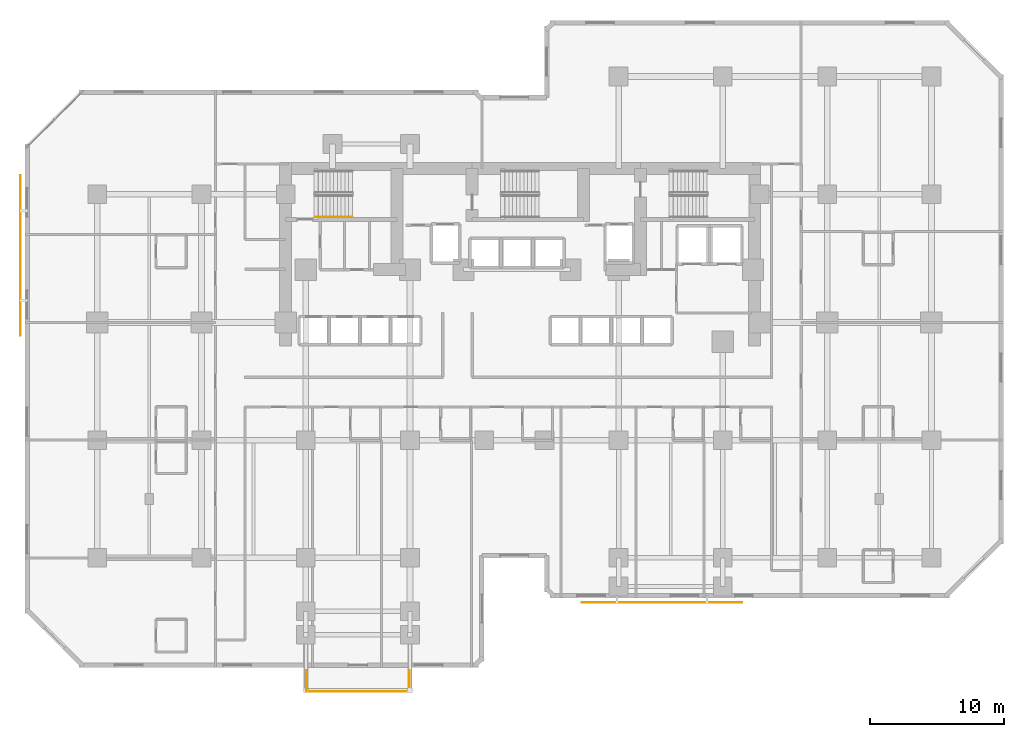
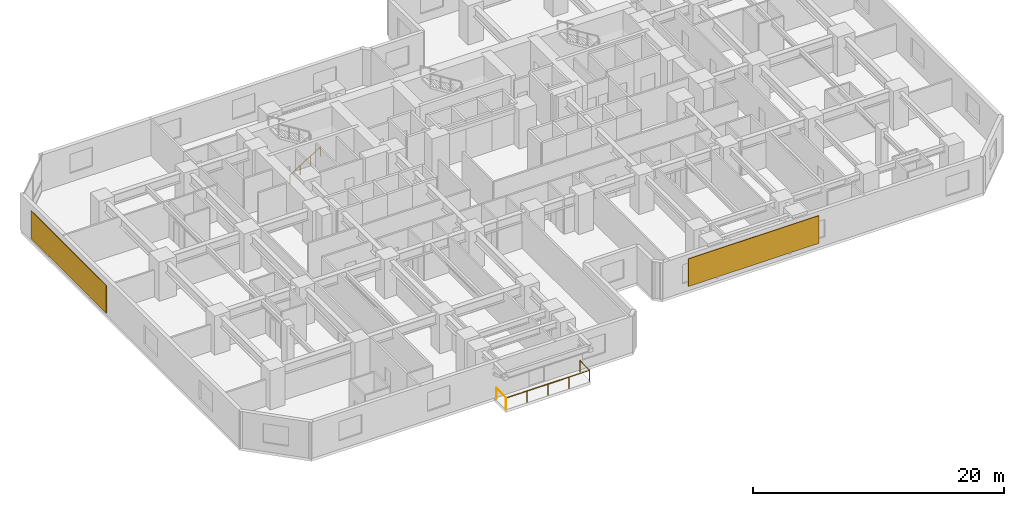
# One storey, part 11 of 12: 3 railings, 2 shading devices.
"""IFC4 building model written with IfcOpenShell, lengths in metres."""

from ifc_helpers import new_model, si_unit, direction, frame, origin, origin_2d, place, context, subcontext, project, spatial, rectangle, circle, extrude, material, layer, layer_set, type_object, element, save


model = new_model("IFC4")

# Units and contexts
model_context = context("Model", 3, precision=1e-05, world=origin(), true_north=direction((0.0, 1.0)))
body_context = subcontext(model_context, "Body", "Model", "MODEL_VIEW")
ifc_project = project(units=[si_unit("LENGTHUNIT", "METRE"), si_unit("AREAUNIT", "SQUARE_METRE"), si_unit("VOLUMEUNIT", "CUBIC_METRE"), si_unit("PLANEANGLEUNIT", "RADIAN"), si_unit("MASSUNIT", "GRAM", prefix="KILO")], contexts=[model_context])

# Site, building, storey
site_placement = place(None, origin())
site = spatial("IfcSite", under=ifc_project, at=site_placement, CompositionType="ELEMENT")
building_placement = place(site_placement, origin())
building = spatial("IfcBuilding", under=site, at=building_placement, Name="Kestravale Grand Hotel", CompositionType="ELEMENT")
storey_placement = place(building_placement, frame((0.0, 0.0, 41.199951171875)))
storey = spatial("IfcBuildingStorey", under=building, at=storey_placement, Name="L09", CompositionType="ELEMENT", Elevation=41.199951171875)

# Railings
ifc_material_1 = material(Name="Champagne-bronze stainless steel and laminated glass guard", Category="steel")
railing_type_1 = type_object("IfcRailingType", Name="RL-EXT-1100", PredefinedType="GUARDRAIL", material=ifc_material_1)
railing_1_placement = place(storey_placement, frame((23.4599609375, 1.2099609375, 0.0)))
element("IfcRailing", 1, at=railing_1_placement, inside=storey, type_object=railing_type_1, Name="L09 outdoor terrace guard 1", PredefinedType="GUARDRAIL", context=body_context, shape_type="SweptSolid", body=[
    extrude(circle(Radius=0.02392578125, at=origin_2d()), frame((0.0, 0.0, 1.09619140625), z_axis=(0.0, 1.0, 0.0), x_axis=(-1.0, 0.0, 0.0)), (0.0, 0.0, 1.0), 1.570068359375),
    extrude(circle(Radius=0.02099609375, at=origin_2d()), origin(), (0.0, 0.0, 1.0), 1.072021484375),
    extrude(circle(Radius=0.02099609375, at=origin_2d()), frame((0.0, 1.570068359375, 0.0)), (0.0, 0.0, 1.0), 1.072021484375),
])
railing_2_placement = place(storey_placement, frame((31.139892578125, 2.780029296875, 0.0)))
element("IfcRailing", 2, at=railing_2_placement, inside=storey, type_object=railing_type_1, Name="L09 outdoor terrace guard 2", PredefinedType="GUARDRAIL", context=body_context, shape_type="SweptSolid", body=[
    extrude(circle(Radius=0.02392578125, at=origin_2d()), frame((0.0, 0.0, 1.09619140625), z_axis=(0.0, -1.0, 0.0), x_axis=(1.0, 0.0, 0.0)), (0.0, 0.0, 1.0), 1.570068359375),
    extrude(circle(Radius=0.02392578125, at=origin_2d()), frame((0.0, -1.570068359375, 1.09619140625), z_axis=(-1.0, 0.0, 0.0), x_axis=(0.0, -1.0, 0.0)), (0.0, 0.0, 1.0), 7.679931640625),
    extrude(circle(Radius=0.02099609375, at=origin_2d()), origin(), (0.0, 0.0, 1.0), 1.072021484375),
    extrude(circle(Radius=0.02099609375, at=origin_2d()), frame((0.0, -1.570068359375, 0.0)), (0.0, 0.0, 1.0), 1.072021484375),
    extrude(circle(Radius=0.02099609375, at=origin_2d()), frame((-1.919921875, -1.570068359375, 0.0)), (0.0, 0.0, 1.0), 1.072021484375),
    extrude(circle(Radius=0.02099609375, at=origin_2d()), frame((-3.83984375, -1.570068359375, 0.0)), (0.0, 0.0, 1.0), 1.072021484375),
    extrude(circle(Radius=0.02099609375, at=origin_2d()), frame((-5.760009765625, -1.570068359375, 0.0)), (0.0, 0.0, 1.0), 1.072021484375),
    extrude(circle(Radius=0.02099609375, at=origin_2d()), frame((-7.679931640625, -1.570068359375, 0.0)), (0.0, 0.0, 1.0), 1.072021484375),
])
ifc_material_2 = material(Name="Brushed stainless steel wall handrail", Category="steel")
railing_type_2 = type_object("IfcRailingType", Name="RL-ST-HND900", PredefinedType="HANDRAIL", material=ifc_material_2)
railing_3_placement = place(storey_placement, frame((24.080078125, 36.699951171875, 0.1728515625)))
element("IfcRailing", 3, at=railing_3_placement, inside=storey, type_object=railing_type_2, Name="L09 ST-1 stair handrail 1", PredefinedType="HANDRAIL", context=body_context, shape_type="SweptSolid", body=[
    extrude(circle(Radius=0.02392578125, at=origin_2d()), frame((0.0, 0.0, 0.8759765625), z_axis=(0.851069175582, 0.0, 0.525053576669), x_axis=(0.0, 1.0, 0.0)), (0.0, 0.0, 1.0), 3.289794921875),
    extrude(circle(Radius=0.02099609375, at=origin_2d()), origin(), (0.0, 0.0, 1.0), 0.851806640625),
    extrude(circle(Radius=0.02099609375, at=origin_2d()), frame((0.933349609375, 0.0, 0.57568359375)), (0.0, 0.0, 1.0), 0.851806640625),
    extrude(circle(Radius=0.02099609375, at=origin_2d()), frame((1.866455078125, 0.0, 1.151611328125)), (0.0, 0.0, 1.0), 0.851806640625),
    extrude(circle(Radius=0.02099609375, at=origin_2d()), frame((2.7998046875, 0.0, 1.727294921875)), (0.0, 0.0, 1.0), 0.851806640625),
])

# Shading devices
ifc_material_3 = material(Name="Perforated champagne-bronze aluminium and ceramic solar screen", Category="aluminium")
ifc_layer = layer(ifc_material_3, 0.06494140625)
ifc_layer_set = layer_set([ifc_layer], Name="SHD-SCR-CHEV")
shading_device_type = type_object("IfcShadingDeviceType", Name="SHD-SCR-CHEV", PredefinedType="USERDEFINED", material=ifc_layer_set)
for number, where, z_axis, x_axis, name in (
    (4, (50.050048828125, 7.860107421875, 0.7001953125), (0.0, 0.0, 1.0), (1.0, 0.0, 0.0), "L09 Perforated bronze ceramic chevron solar screen SCR-L09-07"),
    (5, (2.06005859375, 33.800048828125, 0.7001953125), (0.0, 0.0, 1.0), (0.0, -1.0, 0.0), "L09 Perforated bronze ceramic chevron solar screen SCR-L09-19"),
):
    element("IfcShadingDevice", number, at=place(storey_placement, frame(where, z_axis=z_axis, x_axis=x_axis)), inside=storey, type_object=shading_device_type, Name=name, ObjectType="SCREEN", PredefinedType="USERDEFINED", context=body_context, shape_type="SweptSolid", body=[
        extrude(rectangle(XDim=12.0, YDim=0.06494140625, at=origin_2d()), origin(), (0.0, 0.0, 1.0), 2.68994140625),
    ])

save(model, "model.ifc")
